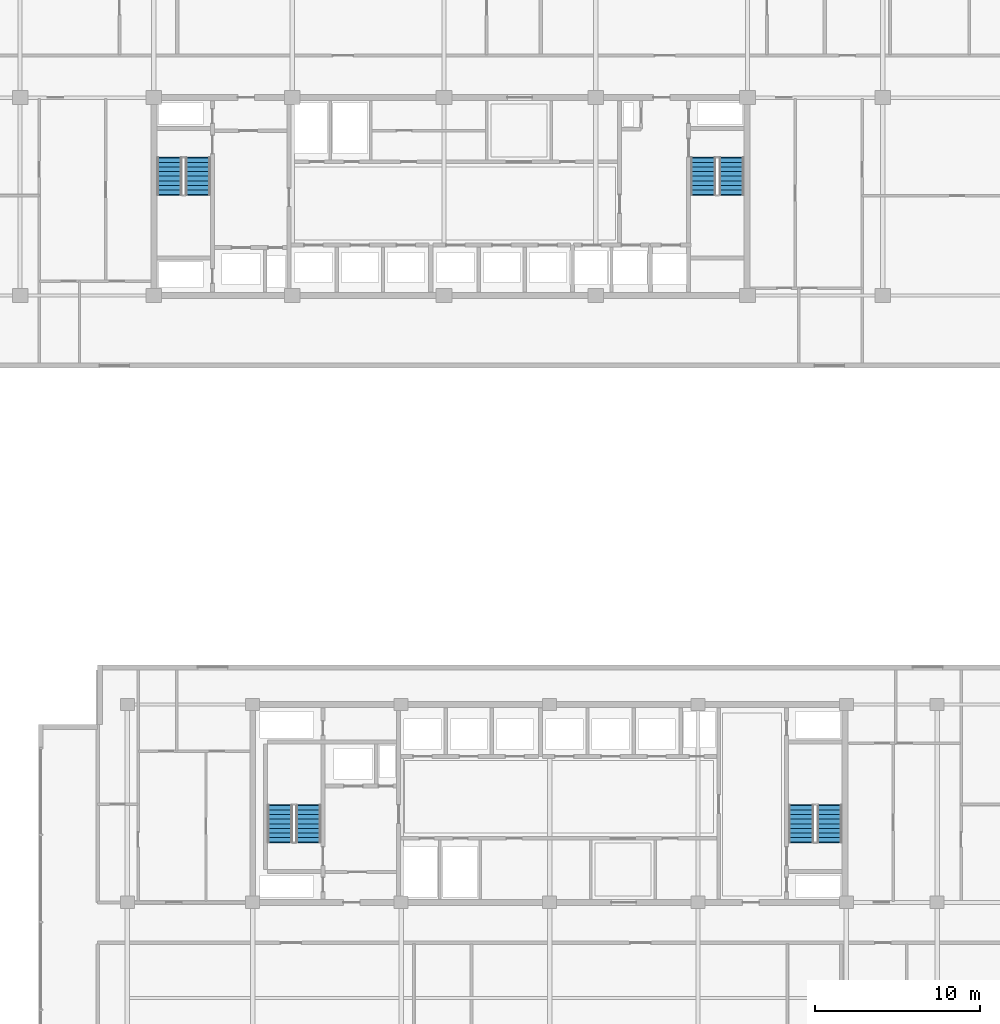
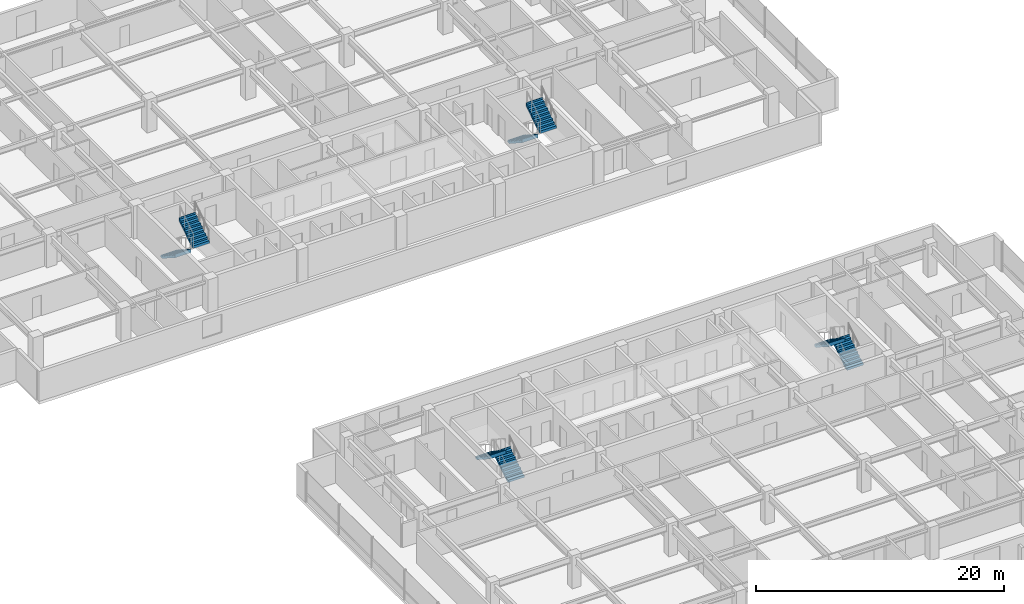
# One storey, part 33 of 38: 8 stair flights, 4 elements without a shape of their own.
"""IFC4 building model written with IfcOpenShell, lengths in metres."""

from ifc_helpers import new_model, si_unit, direction, frame, origin, place, context, subcontext, project, spatial, polyline, outline, extrude, material, type_object, element, aggregate, save


model = new_model("IFC4")

# Units and contexts
model_context = context("Model", 3, precision=1e-05, world=origin(), true_north=direction((0.0, 1.0)))
body_context = subcontext(model_context, "Body", "Model", "MODEL_VIEW")
ifc_project = project(units=[si_unit("LENGTHUNIT", "METRE"), si_unit("AREAUNIT", "SQUARE_METRE"), si_unit("VOLUMEUNIT", "CUBIC_METRE"), si_unit("PLANEANGLEUNIT", "RADIAN"), si_unit("MASSUNIT", "GRAM", prefix="KILO")], contexts=[model_context])

# Site, building, storey
site_placement = place(None, origin())
site = spatial("IfcSite", under=ifc_project, at=site_placement, CompositionType="ELEMENT")
building_placement = place(site_placement, origin())
building = spatial("IfcBuilding", under=site, at=building_placement, Name="Korimba Cascade Residences", CompositionType="ELEMENT")
storey_placement = place(building_placement, frame((0.0, 0.0, 93.800048828125)))
storey = spatial("IfcBuildingStorey", under=building, at=storey_placement, Name="L26", CompositionType="ELEMENT", Elevation=93.800048828125)

# Stair, stair flights
ifc_material = material(Name="Concrete C50/60", Category="concrete")
stair_type_1 = type_object("IfcStairType", Name="STR-W1-18R-1806", PredefinedType="HALF_TURN_STAIR", material=ifc_material)
stair_1_placement = place(storey_placement, origin())
stair_1 = element("IfcStair", 1, at=stair_1_placement, inside=storey, type_object=stair_type_1, Name="L26 Tower 1 West Fire Stair ST-W1", PredefinedType="HALF_TURN_STAIR")
stair_flight_type = type_object("IfcStairFlightType", Name="STF-DL-18R-1806-1520", PredefinedType="STRAIGHT", material=ifc_material)
stair_flight_1_placement = place(storey_placement, frame((77.06005859375, 63.550048828125, 0.0), z_axis=(0.0, 0.0, 1.0), x_axis=(0.0, -1.0, 0.0)))
stair_flight_1 = element("IfcStairFlight", 2, at=stair_flight_1_placement, type_object=stair_flight_type, Name="ST-W1 flight 1", NumberOfRisers=9, NumberOfTreads=8, PredefinedType="STRAIGHT", RiserHeight=0.180555556, TreadLength=0.28, context=body_context, shape_type="SweptSolid", body=[
    extrude(outline(polyline([(-0.0380859375, 0.0), (0.0, 0.1806640625), (0.280029296875, 0.1806640625), (0.280029296875, 0.361083984375), (0.56005859375, 0.361083984375), (0.56005859375, 0.541748046875), (0.840087890625, 0.541748046875), (0.840087890625, 0.72216796875), (1.1201171875, 0.72216796875), (1.1201171875, 0.90283203125), (1.39990234375, 0.90283203125), (1.39990234375, 1.083251953125), (1.679931640625, 1.083251953125), (1.679931640625, 1.263916015625), (1.9599609375, 1.263916015625), (1.9599609375, 1.4443359375), (2.239990234375, 1.4443359375), (2.239990234375, 1.625), (2.278076171875, 1.625), (2.278076171875, 1.26611328125), (0.276611328125, 0.0), (0.276611328125, -0.0380859375), (-0.0380859375, -0.0380859375), (-0.0380859375, 0.0)])), frame((0.0, 0.760009765625, 0.0), z_axis=(0.0, -1.0, 0.0), x_axis=(1.0, 0.0, 0.0)), (0.0, 0.0, 1.0), 1.52001953125),
])
stair_flight_2_placement = place(storey_placement, frame((78.780029296875, 61.31005859375, 1.625), z_axis=(0.0, 0.0, 1.0), x_axis=(0.0, 1.0, 0.0)))
stair_flight_2 = element("IfcStairFlight", 3, at=stair_flight_2_placement, type_object=stair_flight_type, Name="ST-W1 flight 2", NumberOfRisers=9, NumberOfTreads=8, PredefinedType="STRAIGHT", RiserHeight=0.180555556, TreadLength=0.28, context=body_context, shape_type="SweptSolid", body=[
    extrude(outline(polyline([(-0.0380859375, 0.0), (0.0, 0.1806640625), (0.280029296875, 0.1806640625), (0.280029296875, 0.361083984375), (0.56005859375, 0.361083984375), (0.56005859375, 0.541748046875), (0.840087890625, 0.541748046875), (0.840087890625, 0.72216796875), (1.1201171875, 0.72216796875), (1.1201171875, 0.90283203125), (1.39990234375, 0.90283203125), (1.39990234375, 1.083251953125), (1.679931640625, 1.083251953125), (1.679931640625, 1.263916015625), (1.9599609375, 1.263916015625), (1.9599609375, 1.4443359375), (2.239990234375, 1.4443359375), (2.239990234375, 1.625), (2.278076171875, 1.625), (2.278076171875, 1.26611328125), (0.276611328125, 0.0), (0.276611328125, -0.0380859375), (-0.0380859375, -0.0380859375), (-0.0380859375, 0.0)])), frame((0.0, 0.760009765625, 0.0), z_axis=(0.0, -1.0, 0.0), x_axis=(1.0, 0.0, 0.0)), (0.0, 0.0, 1.0), 1.52001953125),
])
aggregate(stair_1, [stair_flight_1, stair_flight_2])

stair_type_2 = type_object("IfcStairType", Name="STR-W2-18R-1806", PredefinedType="HALF_TURN_STAIR", material=ifc_material)
stair_2_placement = place(storey_placement, origin())
stair_2 = element("IfcStair", 4, at=stair_2_placement, inside=storey, type_object=stair_type_2, Name="L26 Tower 1 East Fire Stair ST-W2", PredefinedType="HALF_TURN_STAIR")
stair_flight_3_placement = place(storey_placement, frame((109.419921875, 63.550048828125, 0.0), z_axis=(0.0, 0.0, 1.0), x_axis=(0.0, -1.0, 0.0)))
stair_flight_3 = element("IfcStairFlight", 5, at=stair_flight_3_placement, type_object=stair_flight_type, Name="ST-W2 flight 1", NumberOfRisers=9, NumberOfTreads=8, PredefinedType="STRAIGHT", RiserHeight=0.180555556, TreadLength=0.28, context=body_context, shape_type="SweptSolid", body=[
    extrude(outline(polyline([(-0.0380859375, 0.0), (0.0, 0.1806640625), (0.280029296875, 0.1806640625), (0.280029296875, 0.361083984375), (0.56005859375, 0.361083984375), (0.56005859375, 0.541748046875), (0.840087890625, 0.541748046875), (0.840087890625, 0.72216796875), (1.1201171875, 0.72216796875), (1.1201171875, 0.90283203125), (1.39990234375, 0.90283203125), (1.39990234375, 1.083251953125), (1.679931640625, 1.083251953125), (1.679931640625, 1.263916015625), (1.9599609375, 1.263916015625), (1.9599609375, 1.4443359375), (2.239990234375, 1.4443359375), (2.239990234375, 1.625), (2.278076171875, 1.625), (2.278076171875, 1.26611328125), (0.276611328125, 0.0), (0.276611328125, -0.0380859375), (-0.0380859375, -0.0380859375), (-0.0380859375, 0.0)])), frame((0.0, 0.760009765625, 0.0), z_axis=(0.0, -1.0, 0.0), x_axis=(1.0, 0.0, 0.0)), (0.0, 0.0, 1.0), 1.52001953125),
])
stair_flight_4_placement = place(storey_placement, frame((111.139892578125, 61.31005859375, 1.625), z_axis=(0.0, 0.0, 1.0), x_axis=(0.0, 1.0, 0.0)))
stair_flight_4 = element("IfcStairFlight", 6, at=stair_flight_4_placement, type_object=stair_flight_type, Name="ST-W2 flight 2", NumberOfRisers=9, NumberOfTreads=8, PredefinedType="STRAIGHT", RiserHeight=0.180555556, TreadLength=0.28, context=body_context, shape_type="SweptSolid", body=[
    extrude(outline(polyline([(-0.0380859375, 0.0), (0.0, 0.1806640625), (0.280029296875, 0.1806640625), (0.280029296875, 0.361083984375), (0.56005859375, 0.361083984375), (0.56005859375, 0.541748046875), (0.840087890625, 0.541748046875), (0.840087890625, 0.72216796875), (1.1201171875, 0.72216796875), (1.1201171875, 0.90283203125), (1.39990234375, 0.90283203125), (1.39990234375, 1.083251953125), (1.679931640625, 1.083251953125), (1.679931640625, 1.263916015625), (1.9599609375, 1.263916015625), (1.9599609375, 1.4443359375), (2.239990234375, 1.4443359375), (2.239990234375, 1.625), (2.278076171875, 1.625), (2.278076171875, 1.26611328125), (0.276611328125, 0.0), (0.276611328125, -0.0380859375), (-0.0380859375, -0.0380859375), (-0.0380859375, 0.0)])), frame((0.0, 0.760009765625, 0.0), z_axis=(0.0, -1.0, 0.0), x_axis=(1.0, 0.0, 0.0)), (0.0, 0.0, 1.0), 1.52001953125),
])
aggregate(stair_2, [stair_flight_3, stair_flight_4])

stair_type_3 = type_object("IfcStairType", Name="STR-E1-18R-1806", PredefinedType="HALF_TURN_STAIR", material=ifc_material)
stair_3_placement = place(storey_placement, origin())
stair_3 = element("IfcStair", 7, at=stair_3_placement, inside=storey, type_object=stair_type_3, Name="L26 Tower 2 West Fire Stair ST-E1", PredefinedType="HALF_TURN_STAIR")
stair_flight_5_placement = place(storey_placement, frame((85.47998046875, 22.050048828125, 0.0), z_axis=(0.0, 0.0, 1.0), x_axis=(0.0, 1.0, 0.0)))
stair_flight_5 = element("IfcStairFlight", 8, at=stair_flight_5_placement, type_object=stair_flight_type, Name="ST-E1 flight 1", NumberOfRisers=9, NumberOfTreads=8, PredefinedType="STRAIGHT", RiserHeight=0.180555556, TreadLength=0.28, context=body_context, shape_type="SweptSolid", body=[
    extrude(outline(polyline([(-0.0380859375, 0.0), (0.0, 0.1806640625), (0.280029296875, 0.1806640625), (0.280029296875, 0.361083984375), (0.56005859375, 0.361083984375), (0.56005859375, 0.541748046875), (0.840087890625, 0.541748046875), (0.840087890625, 0.72216796875), (1.1201171875, 0.72216796875), (1.1201171875, 0.90283203125), (1.39990234375, 0.90283203125), (1.39990234375, 1.083251953125), (1.679931640625, 1.083251953125), (1.679931640625, 1.263916015625), (1.9599609375, 1.263916015625), (1.9599609375, 1.4443359375), (2.239990234375, 1.4443359375), (2.239990234375, 1.625), (2.278076171875, 1.625), (2.278076171875, 1.26611328125), (0.276611328125, 0.0), (0.276611328125, -0.0380859375), (-0.0380859375, -0.0380859375), (-0.0380859375, 0.0)])), frame((0.0, 0.760009765625, 0.0), z_axis=(0.0, -1.0, 0.0), x_axis=(1.0, 0.0, 0.0)), (0.0, 0.0, 1.0), 1.52001953125),
])
stair_flight_6_placement = place(storey_placement, frame((83.760009765625, 24.2900390625, 1.625), z_axis=(0.0, 0.0, 1.0), x_axis=(0.0, -1.0, 0.0)))
stair_flight_6 = element("IfcStairFlight", 9, at=stair_flight_6_placement, type_object=stair_flight_type, Name="ST-E1 flight 2", NumberOfRisers=9, NumberOfTreads=8, PredefinedType="STRAIGHT", RiserHeight=0.180555556, TreadLength=0.28, context=body_context, shape_type="SweptSolid", body=[
    extrude(outline(polyline([(-0.0380859375, 0.0), (0.0, 0.1806640625), (0.280029296875, 0.1806640625), (0.280029296875, 0.361083984375), (0.56005859375, 0.361083984375), (0.56005859375, 0.541748046875), (0.840087890625, 0.541748046875), (0.840087890625, 0.72216796875), (1.1201171875, 0.72216796875), (1.1201171875, 0.90283203125), (1.39990234375, 0.90283203125), (1.39990234375, 1.083251953125), (1.679931640625, 1.083251953125), (1.679931640625, 1.263916015625), (1.9599609375, 1.263916015625), (1.9599609375, 1.4443359375), (2.239990234375, 1.4443359375), (2.239990234375, 1.625), (2.278076171875, 1.625), (2.278076171875, 1.26611328125), (0.276611328125, 0.0), (0.276611328125, -0.0380859375), (-0.0380859375, -0.0380859375), (-0.0380859375, 0.0)])), frame((0.0, 0.760009765625, 0.0), z_axis=(0.0, -1.0, 0.0), x_axis=(1.0, 0.0, 0.0)), (0.0, 0.0, 1.0), 1.52001953125),
])
aggregate(stair_3, [stair_flight_5, stair_flight_6])

stair_type_4 = type_object("IfcStairType", Name="STR-E2-18R-1806", PredefinedType="HALF_TURN_STAIR", material=ifc_material)
stair_4_placement = place(storey_placement, origin())
stair_4 = element("IfcStair", 10, at=stair_4_placement, inside=storey, type_object=stair_type_4, Name="L26 Tower 2 East Fire Stair ST-E2", PredefinedType="HALF_TURN_STAIR")
stair_flight_7_placement = place(storey_placement, frame((117.080078125, 22.050048828125, 0.0), z_axis=(0.0, 0.0, 1.0), x_axis=(0.0, 1.0, 0.0)))
stair_flight_7 = element("IfcStairFlight", 11, at=stair_flight_7_placement, type_object=stair_flight_type, Name="ST-E2 flight 1", NumberOfRisers=9, NumberOfTreads=8, PredefinedType="STRAIGHT", RiserHeight=0.180555556, TreadLength=0.28, context=body_context, shape_type="SweptSolid", body=[
    extrude(outline(polyline([(-0.0380859375, 0.0), (0.0, 0.1806640625), (0.280029296875, 0.1806640625), (0.280029296875, 0.361083984375), (0.56005859375, 0.361083984375), (0.56005859375, 0.541748046875), (0.840087890625, 0.541748046875), (0.840087890625, 0.72216796875), (1.1201171875, 0.72216796875), (1.1201171875, 0.90283203125), (1.39990234375, 0.90283203125), (1.39990234375, 1.083251953125), (1.679931640625, 1.083251953125), (1.679931640625, 1.263916015625), (1.9599609375, 1.263916015625), (1.9599609375, 1.4443359375), (2.239990234375, 1.4443359375), (2.239990234375, 1.625), (2.278076171875, 1.625), (2.278076171875, 1.26611328125), (0.276611328125, 0.0), (0.276611328125, -0.0380859375), (-0.0380859375, -0.0380859375), (-0.0380859375, 0.0)])), frame((0.0, 0.760009765625, 0.0), z_axis=(0.0, -1.0, 0.0), x_axis=(1.0, 0.0, 0.0)), (0.0, 0.0, 1.0), 1.52001953125),
])
stair_flight_8_placement = place(storey_placement, frame((115.360107421875, 24.2900390625, 1.625), z_axis=(0.0, 0.0, 1.0), x_axis=(0.0, -1.0, 0.0)))
stair_flight_8 = element("IfcStairFlight", 12, at=stair_flight_8_placement, type_object=stair_flight_type, Name="ST-E2 flight 2", NumberOfRisers=9, NumberOfTreads=8, PredefinedType="STRAIGHT", RiserHeight=0.180555556, TreadLength=0.28, context=body_context, shape_type="SweptSolid", body=[
    extrude(outline(polyline([(-0.0380859375, 0.0), (0.0, 0.1806640625), (0.280029296875, 0.1806640625), (0.280029296875, 0.361083984375), (0.56005859375, 0.361083984375), (0.56005859375, 0.541748046875), (0.840087890625, 0.541748046875), (0.840087890625, 0.72216796875), (1.1201171875, 0.72216796875), (1.1201171875, 0.90283203125), (1.39990234375, 0.90283203125), (1.39990234375, 1.083251953125), (1.679931640625, 1.083251953125), (1.679931640625, 1.263916015625), (1.9599609375, 1.263916015625), (1.9599609375, 1.4443359375), (2.239990234375, 1.4443359375), (2.239990234375, 1.625), (2.278076171875, 1.625), (2.278076171875, 1.26611328125), (0.276611328125, 0.0), (0.276611328125, -0.0380859375), (-0.0380859375, -0.0380859375), (-0.0380859375, 0.0)])), frame((0.0, 0.760009765625, 0.0), z_axis=(0.0, -1.0, 0.0), x_axis=(1.0, 0.0, 0.0)), (0.0, 0.0, 1.0), 1.52001953125),
])
aggregate(stair_4, [stair_flight_7, stair_flight_8])

save(model, "model.ifc")
